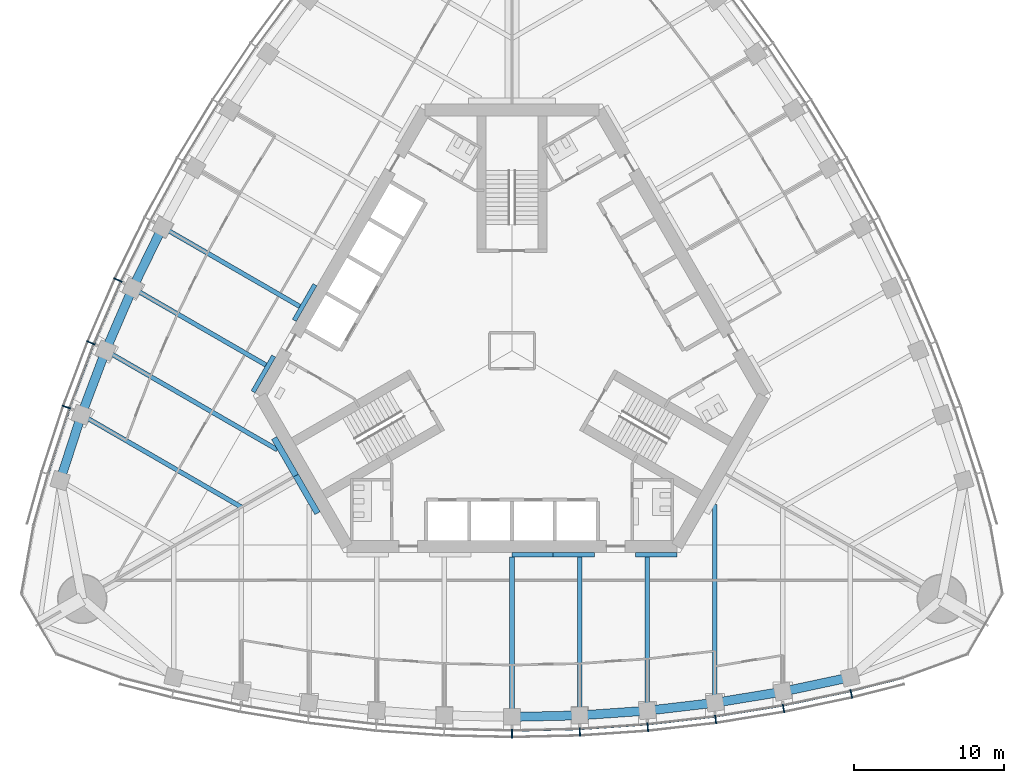
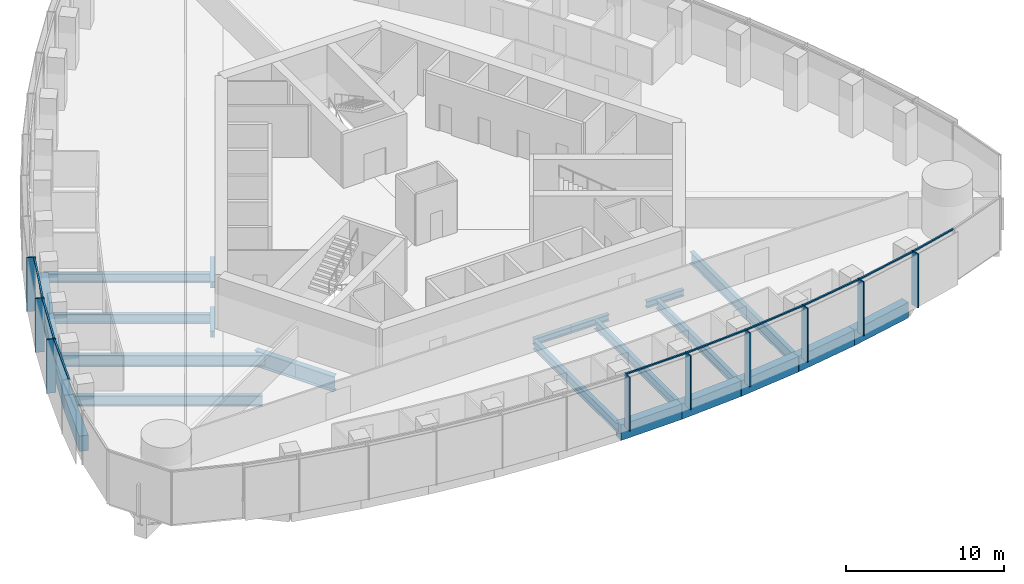
# One storey, part 3 of 20: 24 beams, 18 members, 2 elements without a shape of their own.
"""IFC4 building model written with IfcOpenShell, lengths in metres."""

from ifc_helpers import new_model, si_unit, direction, frame, origin, origin_2d, place, context, subcontext, project, spatial, rectangle, i_section, extrude, material, material_profile, profile_set, type_object, element, aggregate, save


model = new_model("IFC4")

# Units and contexts
model_context = context("Model", 3, precision=1e-05, world=origin(), true_north=direction((0.0, 1.0)))
body_context = subcontext(model_context, "Body", "Model", "MODEL_VIEW")
ifc_project = project(units=[si_unit("LENGTHUNIT", "METRE"), si_unit("AREAUNIT", "SQUARE_METRE"), si_unit("VOLUMEUNIT", "CUBIC_METRE"), si_unit("PLANEANGLEUNIT", "RADIAN"), si_unit("MASSUNIT", "GRAM", prefix="KILO")], contexts=[model_context])

# Site, building, storey
site_placement = place(None, origin())
site = spatial("IfcSite", under=ifc_project, at=site_placement, CompositionType="ELEMENT")
building_placement = place(site_placement, origin())
building = spatial("IfcBuilding", under=site, at=building_placement, Name="Trefoil Bronze Tower", CompositionType="ELEMENT")
storey_placement = place(building_placement, frame((0.0, 0.0, 219.10009765625)))
storey = spatial("IfcBuildingStorey", under=building, at=storey_placement, Name="L50", CompositionType="ELEMENT", Elevation=219.10009765625)

# Curtain wall, members
ifc_material_1 = material(Name="Tinted solar-control glass", Category="glass")
curtain_wall_type = type_object("IfcCurtainWallType", Name="Bronze office curtain wall", PredefinedType="USERDEFINED", material=ifc_material_1)
curtain_wall_1_placement = place(storey_placement, origin())
curtain_wall_1 = element("IfcCurtainWall", 1, at=curtain_wall_1_placement, inside=storey, type_object=curtain_wall_type, Name="CW-A L50 F1", ObjectType="CURTAIN WALL", PredefinedType="USERDEFINED")
ifc_material_2 = material(Name="Bronze-finish aluminium", Category="aluminium")
ifc_material_profile_1 = material_profile(ifc_material_2, rectangle(XDim=0.60009765625, YDim=0.080078125, at=origin_2d()), Name="CW-A mullion")
ifc_profile_set_1 = profile_set([ifc_material_profile_1], Name="Bronze-finish aluminium")
member_type_1 = type_object("IfcMemberType", Name="Bronze office curtain wall mullion", PredefinedType="MULLION", material=ifc_profile_set_1)
member_1_placement = place(storey_placement, frame((0.0, -25.45068359375, 0.0), z_axis=(0.0, 0.0, 1.0), x_axis=(0.0, 1.0, 0.0)))
member_1 = element("IfcMember", 2, at=member_1_placement, type_object=member_type_1, Name="CW-A L50 F1 mullion 7", PredefinedType="MULLION", context=body_context, shape_type="SweptSolid", body=[
    extrude(rectangle(XDim=0.60009765625, YDim=0.080078125, at=origin_2d()), origin(), (0.0, 0.0, 1.0), 4.179931640625),
])
member_2_placement = place(storey_placement, frame((4.513671875, -25.346923828125, 0.0), z_axis=(0.0, 0.0, 1.0), x_axis=(-0.045955542372, 0.998943485952, 0.0)))
member_2 = element("IfcMember", 3, at=member_2_placement, type_object=member_type_1, Name="CW-A L50 F1 mullion 8", PredefinedType="MULLION", context=body_context, shape_type="SweptSolid", body=[
    extrude(rectangle(XDim=0.60009765625, YDim=0.080078125, at=origin_2d()), origin(), (0.0, 0.0, 1.0), 4.179931640625),
])
member_3_placement = place(storey_placement, frame((9.027587890625, -25.03515625, 0.0), z_axis=(0.0, 0.0, 1.0), x_axis=(-0.091911396394, 0.995767189263, 0.0)))
member_3 = element("IfcMember", 4, at=member_3_placement, type_object=member_type_1, Name="CW-A L50 F1 mullion 9", PredefinedType="MULLION", context=body_context, shape_type="SweptSolid", body=[
    extrude(rectangle(XDim=0.60009765625, YDim=0.080078125, at=origin_2d()), origin(), (0.0, 0.0, 1.0), 4.179931640625),
])
member_4_placement = place(storey_placement, frame((13.541259765625, -24.51318359375, 0.0), z_axis=(0.0, 0.0, 1.0), x_axis=(-0.137867887204, 0.990450627582, 0.0)))
member_4 = element("IfcMember", 5, at=member_4_placement, type_object=member_type_1, Name="CW-A L50 F1 mullion 10", PredefinedType="MULLION", context=body_context, shape_type="SweptSolid", body=[
    extrude(rectangle(XDim=0.60009765625, YDim=0.080078125, at=origin_2d()), origin(), (0.0, 0.0, 1.0), 4.179931640625),
])
member_5_placement = place(storey_placement, frame((18.05517578125, -23.77783203125, 0.0), z_axis=(0.0, 0.0, 1.0), x_axis=(-0.183825368167, 0.982958917767, 0.0)))
member_5 = element("IfcMember", 6, at=member_5_placement, type_object=member_type_1, Name="CW-A L50 F1 mullion 11", PredefinedType="MULLION", context=body_context, shape_type="SweptSolid", body=[
    extrude(rectangle(XDim=0.60009765625, YDim=0.080078125, at=origin_2d()), origin(), (0.0, 0.0, 1.0), 4.179931640625),
])
member_6_placement = place(storey_placement, frame((22.568115234375, -22.82421875, 0.0), z_axis=(0.0, 0.0, 1.0), x_axis=(-0.227082662569, 0.973875487093, 0.0)))
member_6 = element("IfcMember", 7, at=member_6_placement, type_object=member_type_1, Name="CW-A L50 F1 mullion 12", PredefinedType="MULLION", context=body_context, shape_type="SweptSolid", body=[
    extrude(rectangle(XDim=0.60009765625, YDim=0.080078125, at=origin_2d()), origin(), (0.0, 0.0, 1.0), 4.179931640625),
])

curtain_wall_2_placement = place(storey_placement, origin())
curtain_wall_2 = element("IfcCurtainWall", 8, at=curtain_wall_2_placement, inside=storey, type_object=curtain_wall_type, Name="CW-A L50 F3", ObjectType="CURTAIN WALL", PredefinedType="USERDEFINED")
member_7_placement = place(storey_placement, frame((-26.19482421875, 4.699462890625, 0.0), z_axis=(0.0, 0.0, 1.0), x_axis=(0.908315380354, -0.418285990457, 0.0)))
member_7 = element("IfcMember", 9, at=member_7_placement, type_object=member_type_1, Name="CW-A L50 F3 mullion 9", PredefinedType="MULLION", context=body_context, shape_type="SweptSolid", body=[
    extrude(rectangle(XDim=0.60009765625, YDim=0.080078125, at=origin_2d()), origin(), (0.0, 0.0, 1.0), 4.179931640625),
])
member_8_placement = place(storey_placement, frame((-27.999755859375, 0.529541015625, 0.0), z_axis=(0.0, 0.0, 1.0), x_axis=(0.926689348282, -0.375828221106, 0.0)))
member_8 = element("IfcMember", 10, at=member_8_placement, type_object=member_type_1, Name="CW-A L50 F3 mullion 10", PredefinedType="MULLION", context=body_context, shape_type="SweptSolid", body=[
    extrude(rectangle(XDim=0.60009765625, YDim=0.080078125, at=origin_2d()), origin(), (0.0, 0.0, 1.0), 4.179931640625),
])
member_9_placement = place(storey_placement, frame((-29.619873046875, -3.747314453125, 0.0), z_axis=(0.0, 0.0, 1.0), x_axis=(0.943180077746, -0.332282020191, 0.0)))
member_9 = element("IfcMember", 11, at=member_9_placement, type_object=member_type_1, Name="CW-A L50 F3 mullion 11", PredefinedType="MULLION", context=body_context, shape_type="SweptSolid", body=[
    extrude(rectangle(XDim=0.60009765625, YDim=0.080078125, at=origin_2d()), origin(), (0.0, 0.0, 1.0), 4.179931640625),
])

# Member
ifc_material_3 = material(Name="Bronze-finish aluminium", Category="aluminium")
ifc_material_profile_2 = material_profile(ifc_material_3, rectangle(XDim=0.1201171875, YDim=0.10009765625, at=origin_2d()), Name="CW-A transom")
ifc_profile_set_2 = profile_set([ifc_material_profile_2], Name="Bronze-finish aluminium")
member_type_2 = type_object("IfcMemberType", Name="Bronze office curtain wall transom", PredefinedType="USERDEFINED", material=ifc_profile_set_2)
member_10_placement = place(storey_placement, frame((0.042236328125, -25.249755859375, 4.1298828125), z_axis=(0.999736131416, 0.022971015226, 0.0), x_axis=(-0.022971015226, 0.999736131416, 0.0)))
member_10 = element("IfcMember", 12, at=member_10_placement, type_object=member_type_2, Name="CW-A L50 F1 transom 7", ObjectType="TRANSOM", PredefinedType="USERDEFINED", context=body_context, shape_type="SweptSolid", body=[
    extrude(rectangle(XDim=0.1201171875, YDim=0.10009765625, at=origin_2d()), origin(), (0.0, 0.0, 1.0), 4.42138671875),
])

member_11_placement = place(storey_placement, frame((4.546875, -25.144287109375, 4.1298828125), z_axis=(0.997621320987, 0.06893257512, 0.0), x_axis=(-0.06893257512, 0.997621320987, 0.0)))
member_11 = element("IfcMember", 13, at=member_11_placement, type_object=member_type_2, Name="CW-A L50 F1 transom 8", ObjectType="TRANSOM", PredefinedType="USERDEFINED", context=body_context, shape_type="SweptSolid", body=[
    extrude(rectangle(XDim=0.1201171875, YDim=0.10009765625, at=origin_2d()), origin(), (0.0, 0.0, 1.0), 4.4306640625),
])

member_12_placement = place(storey_placement, frame((9.05126953125, -24.8310546875, 4.1298828125), z_axis=(0.993384885596, 0.114832352013, 0.0), x_axis=(-0.114832352013, 0.993384885596, 0.0)))
member_12 = element("IfcMember", 14, at=member_12_placement, type_object=member_type_2, Name="CW-A L50 F1 transom 9", ObjectType="TRANSOM", PredefinedType="USERDEFINED", context=body_context, shape_type="SweptSolid", body=[
    extrude(rectangle(XDim=0.1201171875, YDim=0.10009765625, at=origin_2d()), origin(), (0.0, 0.0, 1.0), 4.449951171875),
])

member_13_placement = place(storey_placement, frame((13.5556640625, -24.308349609375, 4.1298828125), z_axis=(0.986988367046, 0.160791676761, 0.0), x_axis=(-0.160791676761, 0.986988367046, 0.0)))
member_13 = element("IfcMember", 15, at=member_13_placement, type_object=member_type_2, Name="CW-A L50 F1 transom 10", ObjectType="TRANSOM", PredefinedType="USERDEFINED", context=body_context, shape_type="SweptSolid", body=[
    extrude(rectangle(XDim=0.1201171875, YDim=0.10009765625, at=origin_2d()), origin(), (0.0, 0.0, 1.0), 4.479248046875),
])

member_14_placement = place(storey_placement, frame((18.059814453125, -23.572509765625, 4.1298828125), z_axis=(0.978395325657, 0.20674280334, 0.0), x_axis=(-0.20674280334, 0.978395325657, 0.0)))
member_14 = element("IfcMember", 16, at=member_14_placement, type_object=member_type_2, Name="CW-A L50 F1 transom 11", ObjectType="TRANSOM", PredefinedType="USERDEFINED", context=body_context, shape_type="SweptSolid", body=[
    extrude(rectangle(XDim=0.1201171875, YDim=0.10009765625, at=origin_2d()), origin(), (0.0, 0.0, 1.0), 4.519287109375),
])

member_15_placement = place(storey_placement, frame((22.5634765625, -22.618896484375, 4.1298828125), z_axis=(0.968935220916, 0.247314653162, 0.0), x_axis=(-0.247314653162, 0.968935220916, 0.0)))
member_15 = element("IfcMember", 17, at=member_15_placement, type_object=member_type_2, Name="CW-A L50 F1 transom 12", ObjectType="TRANSOM", PredefinedType="USERDEFINED", context=body_context, shape_type="SweptSolid", body=[
    extrude(rectangle(XDim=0.1201171875, YDim=0.10009765625, at=origin_2d()), origin(), (0.0, 0.0, 1.0), 3.483642578125),
])

aggregate(curtain_wall_1, [member_1, member_2, member_3, member_4, member_5, member_6, member_10, member_11, member_12, member_13, member_14, member_15])

member_16_placement = place(storey_placement, frame((-26.030029296875, 4.576904296875, 4.1298828125), z_axis=(-0.397220936772, -0.917723012346, 0.0), x_axis=(0.917723012346, -0.397220936772, 0.0)))
member_16 = element("IfcMember", 18, at=member_16_placement, type_object=member_type_2, Name="CW-A L50 F3 transom 9", ObjectType="TRANSOM", PredefinedType="USERDEFINED", context=body_context, shape_type="SweptSolid", body=[
    extrude(rectangle(XDim=0.1201171875, YDim=0.10009765625, at=origin_2d()), origin(), (0.0, 0.0, 1.0), 4.449951171875),
])

member_17_placement = place(storey_placement, frame((-27.829345703125, 0.414794921875, 4.1298828125), z_axis=(-0.354263170896, -0.935145767112, 0.0), x_axis=(0.935145767112, -0.354263170896, 0.0)))
member_17 = element("IfcMember", 19, at=member_17_placement, type_object=member_type_2, Name="CW-A L50 F3 transom 10", ObjectType="TRANSOM", PredefinedType="USERDEFINED", context=body_context, shape_type="SweptSolid", body=[
    extrude(rectangle(XDim=0.1201171875, YDim=0.10009765625, at=origin_2d()), origin(), (0.0, 0.0, 1.0), 4.4794921875),
])

member_18_placement = place(storey_placement, frame((-29.4443359375, -3.85400390625, 4.1298828125), z_axis=(-0.310127806788, -0.950694874004, 0.0), x_axis=(0.950694874004, -0.310127806788, 0.0)))
member_18 = element("IfcMember", 20, at=member_18_placement, type_object=member_type_2, Name="CW-A L50 F3 transom 11", ObjectType="TRANSOM", PredefinedType="USERDEFINED", context=body_context, shape_type="SweptSolid", body=[
    extrude(rectangle(XDim=0.1201171875, YDim=0.10009765625, at=origin_2d()), origin(), (0.0, 0.0, 1.0), 4.51953125),
])

aggregate(curtain_wall_2, [member_7, member_8, member_9, member_16, member_17, member_18])

# Beams
ifc_material_4 = material(Name="Steel C355", Category="steel")
ifc_material_profile_3 = material_profile(ifc_material_4, i_section(OverallWidth=0.300048828125, OverallDepth=0.5, WebThickness=0.014404296875, FlangeThickness=0.028076171875, FilletRadius=0.027099609375, at=origin_2d()), Name="HEB 500")
ifc_profile_set_3 = profile_set([ifc_material_profile_3], Name="Steel C355")
beam_type_1 = type_object("IfcBeamType", Name="Core seat beam HEB 500", PredefinedType="BEAM", material=ifc_profile_set_3)
for number, where, z_axis, x_axis, name in (
    (21, (0.0, -13.550048828125, -0.4501953125), (1.0, 0.0, 0.0), (0.0, 1.0, 0.0), "Core seat beam F1/+0 L50"),
    (22, (2.742431640625, -13.550048828125, -0.4501953125), (1.0, 0.0, 0.0), (0.0, 1.0, 0.0), "Core seat beam F1/+1 L50"),
    (23, (8.227294921875, -13.550048828125, -0.4501953125), (1.0, 0.0, 0.0), (0.0, 1.0, 0.0), "Core seat beam F1/+2 L50"),
    (24, (-13.10595703125, 4.39990234375, -0.4501953125), (-0.499969057507, -0.866043267704, 0.0), (0.866043267704, -0.499969057507, 0.0), "Core seat beam F3/+1 L50"),
    (25, (-15.84814453125, -0.35009765625, -0.4501953125), (-0.500035825175, -0.866004719122, 0.0), (0.866004719122, -0.500035825175, 0.0), "Core seat beam F3/+2 L50"),
):
    element("IfcBeam", number, at=place(storey_placement, frame(where, z_axis=z_axis, x_axis=x_axis)), inside=storey, type_object=beam_type_1, Name=name, PredefinedType="BEAM", context=body_context, shape_type="SweptSolid", body=[
        extrude(i_section(OverallWidth=0.300048828125, OverallDepth=0.5, WebThickness=0.014404296875, FlangeThickness=0.028076171875, FilletRadius=0.027099609375, at=origin_2d()), origin(), (0.0, 0.0, 1.0), 2.742431640625),
    ])
ifc_material_5 = material(Name="Steel C355", Category="steel")
ifc_material_profile_4 = material_profile(ifc_material_5, i_section(OverallWidth=0.39990234375, OverallDepth=1.199951171875, WebThickness=0.02001953125, FlangeThickness=0.0400390625, FilletRadius=0.010009765625, at=origin_2d()), Name="WPG 1200")
ifc_profile_set_4 = profile_set([ifc_material_profile_4], Name="Steel C355")
beam_type_2 = type_object("IfcBeamType", Name="Core seat beam WPG 1200", PredefinedType="BEAM", material=ifc_profile_set_4)
for number, where, z_axis, x_axis, name in (
    (26, (-14.3759765625, -8.300048828125, -0.800048828125), (0.499995765644, -0.866027848477, 0.0), (0.866027848477, 0.499995765644, 0.0), "Core seat beam F1/-3 L50"),
    (27, (-15.8193359375, -5.800048828125, -0.800048828125), (0.499995765644, -0.866027848477, 0.0), (0.866027848477, 0.499995765644, 0.0), "Core seat beam F3/+3 L50"),
):
    element("IfcBeam", number, at=place(storey_placement, frame(where, z_axis=z_axis, x_axis=x_axis)), inside=storey, type_object=beam_type_2, Name=name, PredefinedType="BEAM", context=body_context, shape_type="SweptSolid", body=[
        extrude(i_section(OverallWidth=0.39990234375, OverallDepth=1.199951171875, WebThickness=0.02001953125, FlangeThickness=0.0400390625, FilletRadius=0.010009765625, at=origin_2d()), origin(), (0.0, 0.0, 1.0), 2.88671875),
    ])
ifc_material_6 = material(Name="Steel C355", Category="steel")
ifc_material_profile_5 = material_profile(ifc_material_6, i_section(OverallWidth=0.300048828125, OverallDepth=0.699951171875, WebThickness=0.01708984375, FlangeThickness=0.031982421875, FilletRadius=0.027099609375, at=origin_2d()), Name="HEB 700")
ifc_profile_set_5 = profile_set([ifc_material_profile_5], Name="Steel C355")
beam_type_3 = type_object("IfcBeamType", Name="Floor beam HEB 700", PredefinedType="BEAM", material=ifc_profile_set_5)
beam_1_placement = place(storey_placement, frame((0.0, -24.3505859375, -0.550048828125), z_axis=(0.0, 1.0, 0.0), x_axis=(-1.0, 0.0, 0.0)))
element("IfcBeam", 28, at=beam_1_placement, inside=storey, type_object=beam_type_3, Name="Floor beam F1/+0 L50", PredefinedType="BEAM", context=body_context, shape_type="SweptSolid", body=[
    extrude(i_section(OverallWidth=0.300048828125, OverallDepth=0.699951171875, WebThickness=0.01708984375, FlangeThickness=0.031982421875, FilletRadius=0.027099609375, at=origin_2d()), origin(), (0.0, 0.0, 1.0), 10.650634765625),
])
beam_2_placement = place(storey_placement, frame((4.5, -24.246337890625, -0.550048828125), z_axis=(0.0, 1.0, 0.0), x_axis=(-1.0, 0.0, 0.0)))
element("IfcBeam", 29, at=beam_2_placement, inside=storey, type_object=beam_type_3, Name="Floor beam F1/+1 L50", PredefinedType="BEAM", context=body_context, shape_type="SweptSolid", body=[
    extrude(i_section(OverallWidth=0.300048828125, OverallDepth=0.699951171875, WebThickness=0.01708984375, FlangeThickness=0.031982421875, FilletRadius=0.027099609375, at=origin_2d()), origin(), (0.0, 0.0, 1.0), 10.54638671875),
])
beam_3_placement = place(storey_placement, frame((9.0, -23.932861328125, -0.550048828125), z_axis=(0.0, 1.0, 0.0), x_axis=(-1.0, 0.0, 0.0)))
element("IfcBeam", 30, at=beam_3_placement, inside=storey, type_object=beam_type_3, Name="Floor beam F1/+2 L50", PredefinedType="BEAM", context=body_context, shape_type="SweptSolid", body=[
    extrude(i_section(OverallWidth=0.300048828125, OverallDepth=0.699951171875, WebThickness=0.01708984375, FlangeThickness=0.031982421875, FilletRadius=0.027099609375, at=origin_2d()), origin(), (0.0, 0.0, 1.0), 10.23291015625),
])
beam_4_placement = place(storey_placement, frame((-23.248046875, 8.22607421875, -0.550048828125), z_axis=(0.866027918957, -0.499995643569, 0.0), x_axis=(0.499995643569, 0.866027918957, 0.0)))
element("IfcBeam", 31, at=beam_4_placement, inside=storey, type_object=beam_type_3, Name="Floor beam F3/+1 L50", PredefinedType="BEAM", context=body_context, shape_type="SweptSolid", body=[
    extrude(i_section(OverallWidth=0.300048828125, OverallDepth=0.699951171875, WebThickness=0.01708984375, FlangeThickness=0.031982421875, FilletRadius=0.027099609375, at=origin_2d()), origin(), (0.0, 0.0, 1.0), 10.54638671875),
])
beam_5_placement = place(storey_placement, frame((-25.2265625, 4.17236328125, -0.550048828125), z_axis=(0.866017525653, -0.500013645076, 0.0), x_axis=(0.500013645076, 0.866017525653, 0.0)))
element("IfcBeam", 32, at=beam_5_placement, inside=storey, type_object=beam_type_3, Name="Floor beam F3/+2 L50", PredefinedType="BEAM", context=body_context, shape_type="SweptSolid", body=[
    extrude(i_section(OverallWidth=0.300048828125, OverallDepth=0.699951171875, WebThickness=0.01708984375, FlangeThickness=0.031982421875, FilletRadius=0.027099609375, at=origin_2d()), origin(), (0.0, 0.0, 1.0), 10.233154296875),
])
ifc_material_7 = material(Name="Steel C355", Category="steel")
ifc_material_profile_6 = material_profile(ifc_material_7, i_section(OverallWidth=0.300048828125, OverallDepth=0.800048828125, WebThickness=0.017578125, FlangeThickness=0.032958984375, FilletRadius=0.030029296875, at=origin_2d()), Name="HEB 800")
ifc_profile_set_6 = profile_set([ifc_material_profile_6], Name="Steel C355")
beam_type_4 = type_object("IfcBeamType", Name="Floor beam HEB 800", PredefinedType="BEAM", material=ifc_profile_set_6)
beam_6_placement = place(storey_placement, frame((-28.632080078125, -4.25390625, -0.60009765625), z_axis=(0.866025635187, -0.499999599199, 0.0), x_axis=(0.499999599199, 0.866025635187, 0.0)))
element("IfcBeam", 33, at=beam_6_placement, inside=storey, type_object=beam_type_4, Name="Floor beam F3/+4 L50", PredefinedType="BEAM", context=body_context, shape_type="SweptSolid", body=[
    extrude(i_section(OverallWidth=0.300048828125, OverallDepth=0.800048828125, WebThickness=0.017578125, FlangeThickness=0.032958984375, FilletRadius=0.030029296875, at=origin_2d()), origin(), (0.0, 0.0, 1.0), 12.27685546875),
])
ifc_material_8 = material(Name="Steel C355", Category="steel")
ifc_material_profile_7 = material_profile(ifc_material_8, i_section(OverallWidth=0.300048828125, OverallDepth=0.89990234375, WebThickness=0.0185546875, FlangeThickness=0.034912109375, FilletRadius=0.030029296875, at=origin_2d()), Name="HEB 900")
ifc_profile_set_7 = profile_set([ifc_material_profile_7], Name="Steel C355")
beam_type_5 = type_object("IfcBeamType", Name="Floor beam HEB 900", PredefinedType="BEAM", material=ifc_profile_set_7)
for number, where, z_axis, x_axis, name in (
    (34, (13.5, -23.408447265625, -0.650146484375), (0.0, 1.0, 0.0), (-1.0, 0.0, 0.0), "Floor beam F1/+3 L50"),
    (35, (-27.022216796875, 0.012939453125, -0.650146484375), (0.866020385251, -0.500008692254, 0.0), (0.500008692254, 0.866020385251, 0.0), "Floor beam F3/+3 L50"),
):
    element("IfcBeam", number, at=place(storey_placement, frame(where, z_axis=z_axis, x_axis=x_axis)), inside=storey, type_object=beam_type_5, Name=name, PredefinedType="BEAM", context=body_context, shape_type="SweptSolid", body=[
        extrude(i_section(OverallWidth=0.300048828125, OverallDepth=0.89990234375, WebThickness=0.0185546875, FlangeThickness=0.034912109375, FilletRadius=0.030029296875, at=origin_2d()), origin(), (0.0, 0.0, 1.0), 13.191162109375),
    ])
ifc_material_9 = material(Name="Concrete B80", Category="concrete")
ifc_material_profile_8 = material_profile(ifc_material_9, rectangle(XDim=0.60009765625, YDim=1.199951171875, at=origin_2d()), Name="RC 600x1200")
ifc_profile_set_8 = profile_set([ifc_material_profile_8], Name="Concrete B80")
beam_type_6 = type_object("IfcBeamType", Name="Spandrel beam RC 600x1200", PredefinedType="SPANDREL", material=ifc_profile_set_8)
beam_7_placement = place(storey_placement, frame((0.0, -24.3505859375, -0.800048828125), z_axis=(0.999731770792, 0.023160018779, 0.0), x_axis=(-0.023160018779, 0.999731770792, 0.0)))
element("IfcBeam", 36, at=beam_7_placement, inside=storey, type_object=beam_type_6, Name="Spandrel F1.7 L50", PredefinedType="SPANDREL", context=body_context, shape_type="SweptSolid", body=[
    extrude(rectangle(XDim=0.60009765625, YDim=1.199951171875, at=origin_2d()), origin(), (0.0, 0.0, 1.0), 4.501220703125),
])
beam_8_placement = place(storey_placement, frame((4.5, -24.246337890625, -0.800048828125), z_axis=(0.997582435881, 0.069493047291, 0.0), x_axis=(-0.069493047291, 0.997582435881, 0.0)))
element("IfcBeam", 37, at=beam_8_placement, inside=storey, type_object=beam_type_6, Name="Spandrel F1.8 L50", PredefinedType="SPANDREL", context=body_context, shape_type="SweptSolid", body=[
    extrude(rectangle(XDim=0.60009765625, YDim=1.199951171875, at=origin_2d()), origin(), (0.0, 0.0, 1.0), 4.510986328125),
])
beam_9_placement = place(storey_placement, frame((9.0, -23.932861328125, -0.800048828125), z_axis=(0.993278017132, 0.115753102257, 0.0), x_axis=(-0.115753102257, 0.993278017132, 0.0)))
element("IfcBeam", 38, at=beam_9_placement, inside=storey, type_object=beam_type_6, Name="Spandrel F1.9 L50", PredefinedType="SPANDREL", context=body_context, shape_type="SweptSolid", body=[
    extrude(rectangle(XDim=0.60009765625, YDim=1.199951171875, at=origin_2d()), origin(), (0.0, 0.0, 1.0), 4.530517578125),
])
beam_10_placement = place(storey_placement, frame((13.5, -23.408447265625, -0.800048828125), z_axis=(0.986764681833, 0.162158757664, 0.0), x_axis=(-0.162158757664, 0.986764681833, 0.0)))
element("IfcBeam", 39, at=beam_10_placement, inside=storey, type_object=beam_type_6, Name="Spandrel F1.10 L50", PredefinedType="SPANDREL", context=body_context, shape_type="SweptSolid", body=[
    extrude(rectangle(XDim=0.60009765625, YDim=1.199951171875, at=origin_2d()), origin(), (0.0, 0.0, 1.0), 4.560302734375),
])
beam_11_placement = place(storey_placement, frame((18.0, -22.6689453125, -0.800048828125), z_axis=(0.978059483036, 0.208325820877, 0.0), x_axis=(-0.208325820877, 0.978059483036, 0.0)))
element("IfcBeam", 40, at=beam_11_placement, inside=storey, type_object=beam_type_6, Name="Spandrel F1.11 L50", PredefinedType="SPANDREL", context=body_context, shape_type="SweptSolid", body=[
    extrude(rectangle(XDim=0.60009765625, YDim=1.199951171875, at=origin_2d()), origin(), (0.0, 0.0, 1.0), 4.600830078125),
])
beam_12_placement = place(storey_placement, frame((-23.248046875, 8.22607421875, -0.800048828125), z_axis=(-0.438619830351, -0.898672712629, 0.0), x_axis=(0.898672712629, -0.438619830351, 0.0)))
element("IfcBeam", 41, at=beam_12_placement, inside=storey, type_object=beam_type_6, Name="Spandrel F3.8 L50", PredefinedType="SPANDREL", context=body_context, shape_type="SweptSolid", body=[
    extrude(rectangle(XDim=0.60009765625, YDim=1.199951171875, at=origin_2d()), origin(), (0.0, 0.0, 1.0), 4.5107421875),
])
beam_13_placement = place(storey_placement, frame((-25.2265625, 4.17236328125, -0.800048828125), z_axis=(-0.396350337164, -0.918099346602, 0.0), x_axis=(0.918099346602, -0.396350337164, 0.0)))
element("IfcBeam", 42, at=beam_13_placement, inside=storey, type_object=beam_type_6, Name="Spandrel F3.9 L50", PredefinedType="SPANDREL", context=body_context, shape_type="SweptSolid", body=[
    extrude(rectangle(XDim=0.60009765625, YDim=1.199951171875, at=origin_2d()), origin(), (0.0, 0.0, 1.0), 4.530517578125),
])
beam_14_placement = place(storey_placement, frame((-27.022216796875, 0.012939453125, -0.800048828125), z_axis=(-0.353005969632, -0.935621069346, 0.0), x_axis=(0.935621069346, -0.353005969632, 0.0)))
element("IfcBeam", 43, at=beam_14_placement, inside=storey, type_object=beam_type_6, Name="Spandrel F3.10 L50", PredefinedType="SPANDREL", context=body_context, shape_type="SweptSolid", body=[
    extrude(rectangle(XDim=0.60009765625, YDim=1.199951171875, at=origin_2d()), origin(), (0.0, 0.0, 1.0), 4.560546875),
])
beam_15_placement = place(storey_placement, frame((-28.632080078125, -4.25390625, -0.800048828125), z_axis=(-0.308608505504, -0.951189145402, 0.0), x_axis=(0.951189145402, -0.308608505504, 0.0)))
element("IfcBeam", 44, at=beam_15_placement, inside=storey, type_object=beam_type_6, Name="Spandrel F3.11 L50", PredefinedType="SPANDREL", context=body_context, shape_type="SweptSolid", body=[
    extrude(rectangle(XDim=0.60009765625, YDim=1.199951171875, at=origin_2d()), origin(), (0.0, 0.0, 1.0), 4.60107421875),
])

save(model, "model.ifc")
